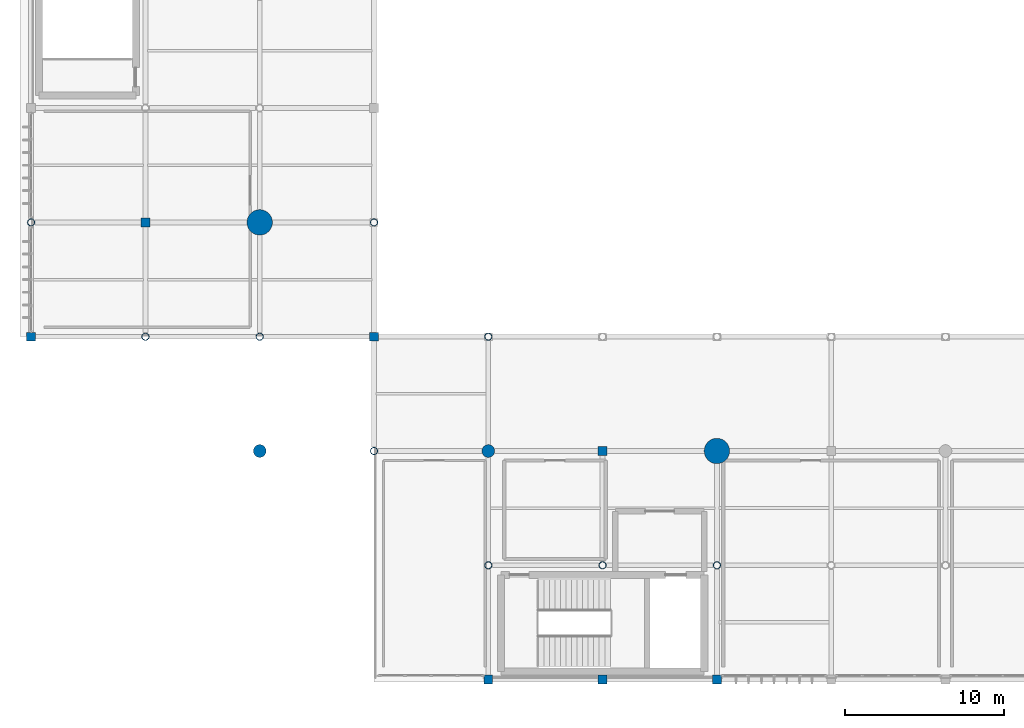
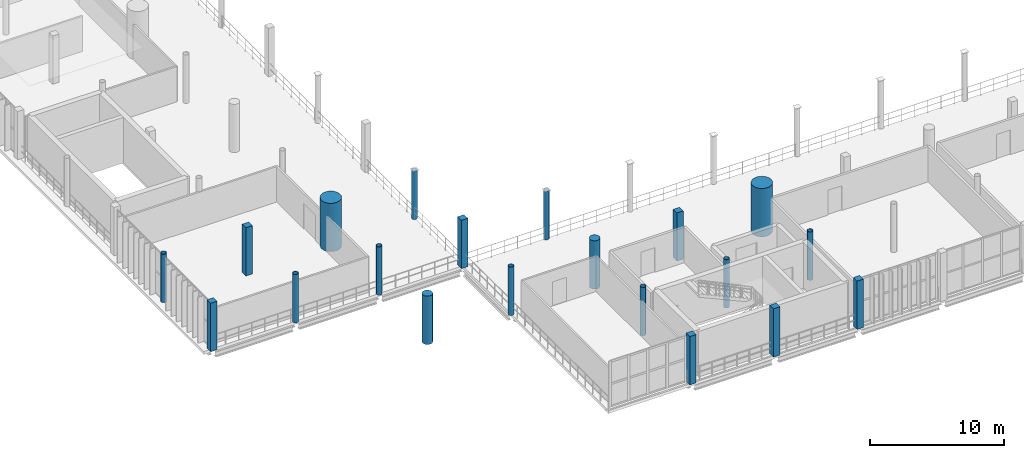
# One storey, part 1 of 81: 20 columns.
"""IFC4 building model written with IfcOpenShell, lengths in metres."""

from ifc_helpers import new_model, si_unit, direction, frame, origin, origin_2d, place, context, subcontext, project, spatial, rectangle, circle, hollow_circle, extrude, material, material_profile, profile_set, type_object, element, save


model = new_model("IFC4")

# Units and contexts
model_context = context("Model", 3, precision=1e-05, world=origin(), true_north=direction((0.0, 1.0)))
body_context = subcontext(model_context, "Body", "Model", "MODEL_VIEW")
ifc_project = project(units=[si_unit("LENGTHUNIT", "METRE"), si_unit("AREAUNIT", "SQUARE_METRE"), si_unit("VOLUMEUNIT", "CUBIC_METRE"), si_unit("PLANEANGLEUNIT", "RADIAN"), si_unit("MASSUNIT", "GRAM", prefix="KILO")], contexts=[model_context])

# Site, building, storey
site_placement = place(None, origin())
site = spatial("IfcSite", under=ifc_project, at=site_placement, CompositionType="ELEMENT")
building_placement = place(site_placement, origin())
building = spatial("IfcBuilding", under=site, at=building_placement, Name="Qandorah Velis Arena", CompositionType="ELEMENT")
storey_placement = place(building_placement, frame((0.0, 0.0, 18.60009765625)))
storey = spatial("IfcBuildingStorey", under=building, at=storey_placement, Name="L04", CompositionType="ELEMENT", Elevation=18.60009765625)

# Columns
ifc_material_1 = material(Name="Steel S355", Category="steel")
ifc_material_profile_1 = material_profile(ifc_material_1, hollow_circle(Radius=0.228515625, WallThickness=0.02001953125, at=origin_2d()), Name="CHS 457x20")
ifc_profile_set_1 = profile_set([ifc_material_profile_1], Name="Steel S355")
column_type_1 = type_object("IfcColumnType", Name="STR-COL-CHS457", PredefinedType="COLUMN", material=ifc_profile_set_1)
for number, where, z_axis, x_axis, name in (
    (1, (0.0, 28.800048828125, 0.0), (0.0, 0.0, 1.0), (1.0, 0.0, 0.0), "Structural column L04-001"),
    (2, (7.199951171875, 21.60009765625, 0.0), (0.0, 0.0, 1.0), (1.0, 0.0, 0.0), "Structural column L04-013"),
    (3, (14.39990234375, 21.60009765625, 0.0), (0.0, 0.0, 1.0), (1.0, 0.0, 0.0), "Structural column L04-027"),
    (4, (21.60009765625, 14.39990234375, 0.0), (0.0, 0.0, 1.0), (1.0, 0.0, 0.0), "Structural column L04-041"),
    (5, (21.60009765625, 28.800048828125, 0.0), (0.0, 0.0, 1.0), (1.0, 0.0, 0.0), "Structural column L04-043"),
    (6, (28.800048828125, 7.199951171875, 0.0), (0.0, 0.0, 1.0), (1.0, 0.0, 0.0), "Structural column L04-057"),
    (7, (28.800048828125, 21.60009765625, 0.0), (0.0, 0.0, 1.0), (1.0, 0.0, 0.0), "Structural column L04-059"),
    (8, (36.0, 7.199951171875, 0.0), (0.0, 0.0, 1.0), (1.0, 0.0, 0.0), "Structural column L04-065"),
    (9, (43.199951171875, 7.199951171875, 0.0), (0.0, 0.0, 1.0), (1.0, 0.0, 0.0), "Structural column L04-073"),
):
    element("IfcColumn", number, at=place(storey_placement, frame(where, z_axis=z_axis, x_axis=x_axis)), inside=storey, type_object=column_type_1, Name=name, PredefinedType="COLUMN", context=body_context, shape_type="SweptSolid", body=[
        extrude(hollow_circle(Radius=0.228515625, WallThickness=0.02001953125, at=origin_2d()), origin(), (0.0, 0.0, 1.0), 4.39990234375),
    ])
ifc_material_2 = material(Name="Concrete C50/60", Category="concrete")
ifc_material_profile_2 = material_profile(ifc_material_2, circle(Radius=0.800048828125, at=origin_2d()), Name="MC D1600")
ifc_profile_set_2 = profile_set([ifc_material_profile_2], Name="Concrete C50/60")
column_type_2 = type_object("IfcColumnType", Name="STR-COL-MC1600", PredefinedType="COLUMN", material=ifc_profile_set_2)
for number, where, z_axis, x_axis, name in (
    (10, (14.39990234375, 28.800048828125, 0.0), (0.0, 0.0, 1.0), (1.0, 0.0, 0.0), "Mega column MC1 (L04)"),
    (11, (43.199951171875, 14.39990234375, 0.0), (0.0, 0.0, 1.0), (1.0, 0.0, 0.0), "Mega column MC4 (L04)"),
):
    element("IfcColumn", number, at=place(storey_placement, frame(where, z_axis=z_axis, x_axis=x_axis)), inside=storey, type_object=column_type_2, Name=name, PredefinedType="COLUMN", context=body_context, shape_type="SweptSolid", body=[
        extrude(circle(Radius=0.800048828125, at=origin_2d()), origin(), (0.0, 0.0, 1.0), 4.39990234375),
    ])
ifc_material_3 = material(Name="Concrete C40/50", Category="concrete")
ifc_material_profile_3 = material_profile(ifc_material_3, rectangle(XDim=0.550048828125, YDim=0.550048828125, at=origin_2d()), Name="RC COL 550x550")
ifc_profile_set_3 = profile_set([ifc_material_profile_3], Name="Concrete C40/50")
column_type_3 = type_object("IfcColumnType", Name="STR-COL-RC550", PredefinedType="COLUMN", material=ifc_profile_set_3)
for number, where, z_axis, x_axis, name in (
    (12, (0.0, 21.60009765625, 0.0), (0.0, 0.0, 1.0), (1.0, 0.0, 0.0), "Structural column L04-000"),
    (13, (7.199951171875, 28.800048828125, 0.0), (0.0, 0.0, 1.0), (1.0, 0.0, 0.0), "Structural column L04-014"),
    (14, (21.60009765625, 21.60009765625, 0.0), (0.0, 0.0, 1.0), (1.0, 0.0, 0.0), "Structural column L04-042"),
    (15, (28.800048828125, 0.0, 0.0), (0.0, 0.0, 1.0), (1.0, 0.0, 0.0), "Structural column L04-056"),
    (16, (36.0, 0.0, 0.0), (0.0, 0.0, 1.0), (1.0, 0.0, 0.0), "Structural column L04-064"),
    (17, (36.0, 14.39990234375, 0.0), (0.0, 0.0, 1.0), (1.0, 0.0, 0.0), "Structural column L04-066"),
    (18, (43.199951171875, 0.0, 0.0), (0.0, 0.0, 1.0), (1.0, 0.0, 0.0), "Structural column L04-072"),
):
    element("IfcColumn", number, at=place(storey_placement, frame(where, z_axis=z_axis, x_axis=x_axis)), inside=storey, type_object=column_type_3, Name=name, PredefinedType="COLUMN", context=body_context, shape_type="SweptSolid", body=[
        extrude(rectangle(XDim=0.550048828125, YDim=0.550048828125, at=origin_2d()), origin(), (0.0, 0.0, 1.0), 4.39990234375),
    ])
ifc_material_profile_4 = material_profile(ifc_material_3, circle(Radius=0.39990234375, at=origin_2d()), Name="RC D800")
ifc_profile_set_4 = profile_set([ifc_material_profile_4], Name="Concrete C40/50")
column_type_4 = type_object("IfcColumnType", Name="STR-COL-RCD800", PredefinedType="COLUMN", material=ifc_profile_set_4)
for number, where, z_axis, x_axis, name in (
    (19, (14.39990234375, 14.39990234375, 0.0), (0.0, 0.0, 1.0), (1.0, 0.0, 0.0), "Bowl drum ring column L04-026"),
    (20, (28.800048828125, 14.39990234375, 0.0), (0.0, 0.0, 1.0), (1.0, 0.0, 0.0), "Bowl drum ring column L04-058"),
):
    element("IfcColumn", number, at=place(storey_placement, frame(where, z_axis=z_axis, x_axis=x_axis)), inside=storey, type_object=column_type_4, Name=name, PredefinedType="COLUMN", context=body_context, shape_type="SweptSolid", body=[
        extrude(circle(Radius=0.39990234375, at=origin_2d()), origin(), (0.0, 0.0, 1.0), 4.39990234375),
    ])

save(model, "model.ifc")
